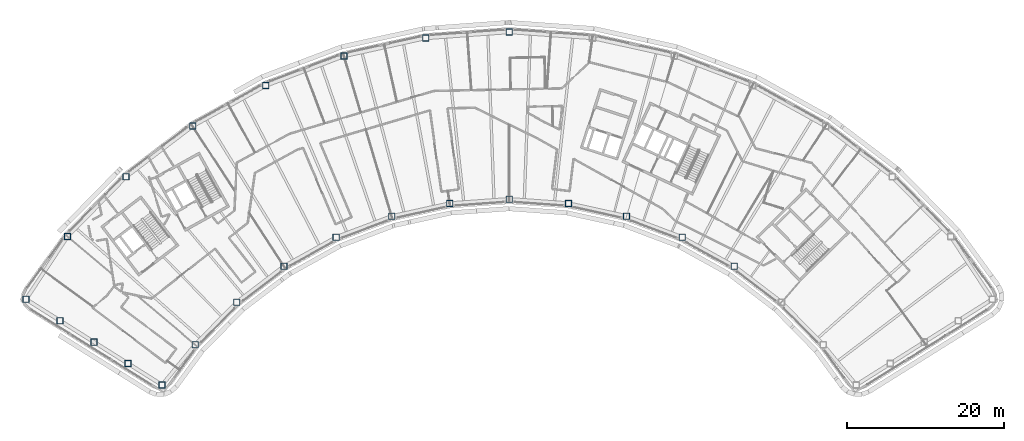
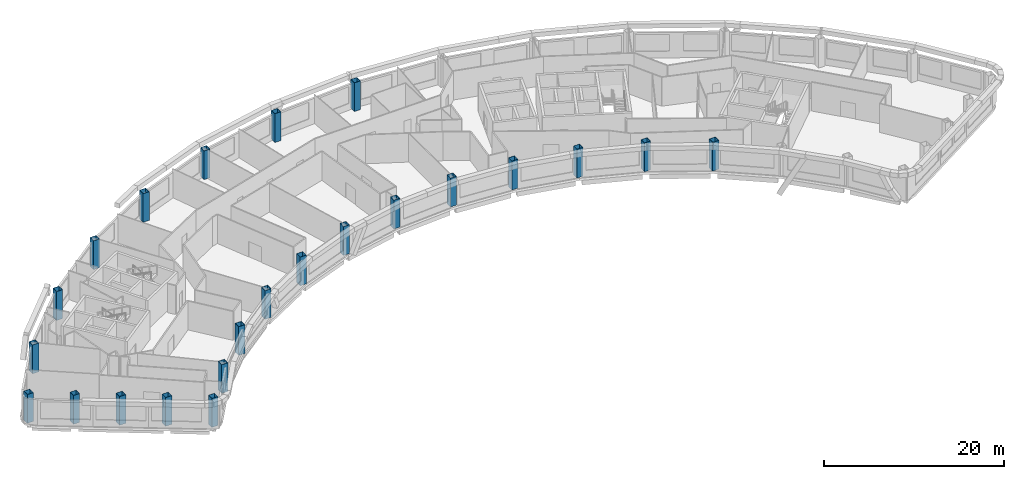
# One storey, part 1 of 14: 23 columns.
"""IFC4 building model written with IfcOpenShell, lengths in metres."""

from ifc_helpers import new_model, si_unit, direction, frame, origin, origin_2d, place, context, subcontext, project, spatial, hollow_rectangle, extrude, material, material_profile, profile_set, type_object, element, save


model = new_model("IFC4")

# Units and contexts
model_context = context("Model", 3, precision=1e-05, world=origin(), true_north=direction((0.0, 1.0)))
body_context = subcontext(model_context, "Body", "Model", "MODEL_VIEW")
ifc_project = project(units=[si_unit("LENGTHUNIT", "METRE"), si_unit("AREAUNIT", "SQUARE_METRE"), si_unit("VOLUMEUNIT", "CUBIC_METRE"), si_unit("PLANEANGLEUNIT", "RADIAN"), si_unit("MASSUNIT", "GRAM", prefix="KILO")], contexts=[model_context])

# Site, building, storey
site_placement = place(None, origin())
site = spatial("IfcSite", under=ifc_project, at=site_placement, CompositionType="ELEMENT")
building_placement = place(site_placement, origin())
building = spatial("IfcBuilding", under=site, at=building_placement, Name="Tuul Gate Civic Tower", CompositionType="ELEMENT")
storey_placement = place(building_placement, frame((0.0, 0.0, 269.39990234375)))
storey = spatial("IfcBuildingStorey", under=building, at=storey_placement, Name="Level 61", CompositionType="ELEMENT", Elevation=269.39990234375)

# Columns
ifc_material = material(Name="Steel S355", Category="steel")
ifc_material_profile = material_profile(ifc_material, hollow_rectangle(XDim=0.800048828125, YDim=0.800048828125, WallThickness=0.031982421875, at=origin_2d()), Name="BOX800x800x32")
ifc_profile_set = profile_set([ifc_material_profile], Name="Steel S355")
column_type = type_object("IfcColumnType", Name="STR-COLUMN-BOX800x800x32", PredefinedType="COLUMN", material=ifc_profile_set)
for number, where, z_axis, x_axis, name in (
    (1, (11.031005859375, 13.47412109375, 0.0), (0.0, 0.0, 1.0), (1.0, 0.0, 0.0), "Column"),
    (2, (0.381103515625, 12.702880859375, 0.0), (0.0, 0.0, 1.0), (1.0, 0.0, 0.0), "Column"),
    (3, (-10.0458984375, 10.405029296875, 0.0), (0.0, 0.0, 1.0), (1.0, 0.0, 0.0), "Column"),
    (4, (-20.032958984375, 6.6279296875, 0.0), (0.0, 0.0, 1.0), (1.0, 0.0, 0.0), "Column"),
    (5, (-29.37109375, 1.451904296875, 0.0), (0.0, 0.0, 1.0), (1.0, 0.0, 0.0), "Column"),
    (6, (-37.866943359375, -5.01708984375, 0.0), (0.0, 0.0, 1.0), (1.0, 0.0, 0.0), "Column"),
    (7, (-45.341064453125, -12.64208984375, 0.0), (0.0, 0.0, 1.0), (1.0, 0.0, 0.0), "Column"),
    (8, (-50.639892578125, -20.654052734375, 0.0), (0.0, 0.0, 1.0), (1.0, 0.0, 0.0), "Column"),
    (9, (-46.298095703125, -23.388916015625, 0.0), (0.0, 0.0, 1.0), (1.0, 0.0, 0.0), "Column"),
    (10, (-41.955078125, -26.123046875, 0.0), (0.0, 0.0, 1.0), (1.0, 0.0, 0.0), "Column"),
    (11, (-37.613037109375, -28.85791015625, 0.0), (0.0, 0.0, 1.0), (1.0, 0.0, 0.0), "Column"),
    (12, (-33.27001953125, -31.592041015625, 0.0), (0.0, 0.0, 1.0), (1.0, 0.0, 0.0), "Column"),
    (13, (-29.050048828125, -26.449951171875, 0.0), (0.0, 0.0, 1.0), (1.0, 0.0, 0.0), "Column"),
    (14, (-23.736083984375, -21.029052734375, 0.0), (0.0, 0.0, 1.0), (1.0, 0.0, 0.0), "Column"),
    (15, (-17.696044921875, -16.429931640625, 0.0), (0.0, 0.0, 1.0), (1.0, 0.0, 0.0), "Column"),
    (16, (-11.055908203125, -12.7490234375, 0.0), (0.0, 0.0, 1.0), (1.0, 0.0, 0.0), "Column"),
    (17, (-3.955078125, -10.06396484375, 0.0), (0.0, 0.0, 1.0), (1.0, 0.0, 0.0), "Column"),
    (18, (3.458984375, -8.429931640625, 0.0), (0.0, 0.0, 1.0), (1.0, 0.0, 0.0), "Column"),
    (19, (11.031005859375, -7.882080078125, 0.0), (0.0, 0.0, 1.0), (1.0, 0.0, 0.0), "Column"),
    (20, (18.60302734375, -8.429931640625, 0.0), (0.0, 0.0, 1.0), (1.0, 0.0, 0.0), "Column"),
    (21, (26.01708984375, -10.06396484375, 0.0), (0.0, 0.0, 1.0), (1.0, 0.0, 0.0), "Column"),
    (22, (33.117919921875, -12.7490234375, 0.0), (0.0, 0.0, 1.0), (1.0, 0.0, 0.0), "Column"),
    (23, (39.757080078125, -16.429931640625, 0.0), (0.0, 0.0, 1.0), (1.0, 0.0, 0.0), "Column"),
):
    element("IfcColumn", number, at=place(storey_placement, frame(where, z_axis=z_axis, x_axis=x_axis)), inside=storey, type_object=column_type, Name=name, PredefinedType="COLUMN", context=body_context, shape_type="SweptSolid", body=[
        extrude(hollow_rectangle(XDim=0.800048828125, YDim=0.800048828125, WallThickness=0.031982421875, at=origin_2d()), origin(), (0.0, 0.0, 1.0), 3.900146484375),
    ])

save(model, "model.ifc")
